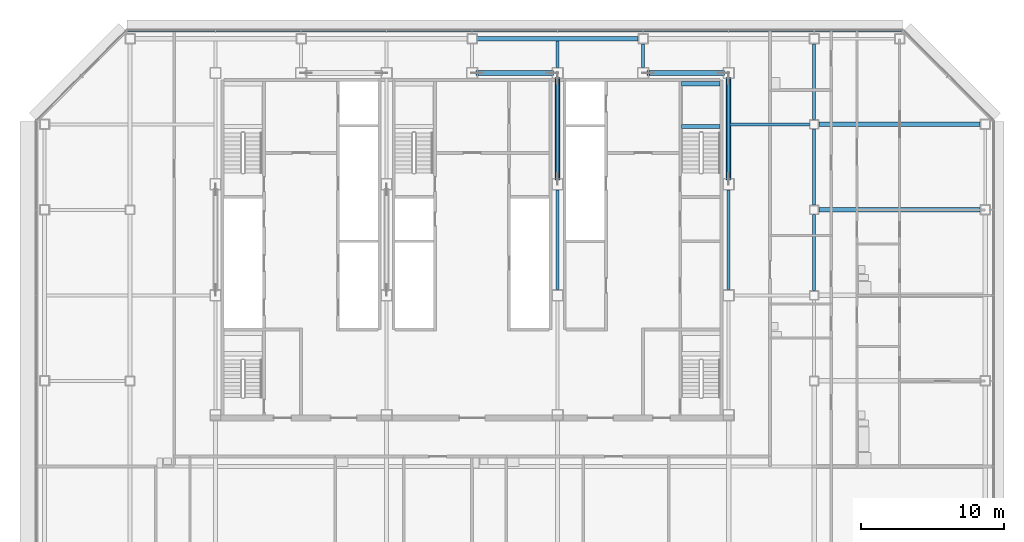
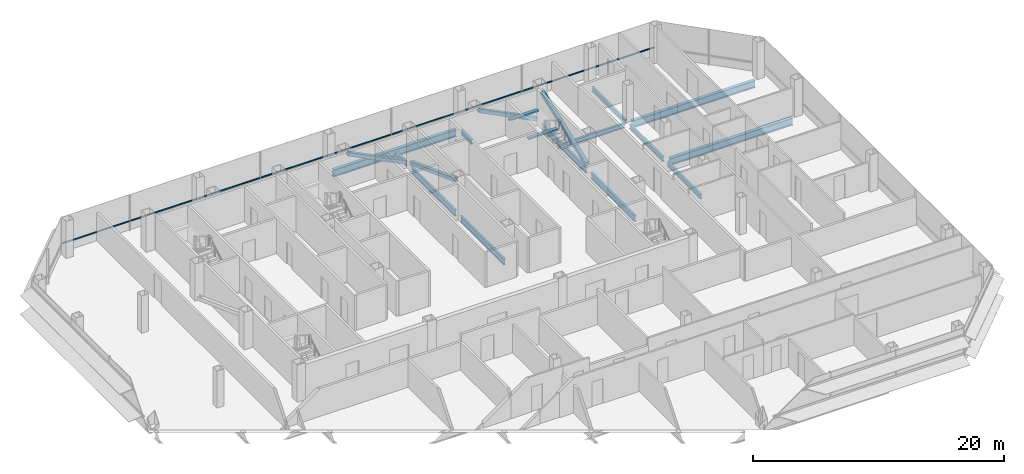
# One storey, part 13 of 26: 15 beams, 5 members, 1 element without a shape of its own.
"""IFC4 building model written with IfcOpenShell, lengths in metres."""

from ifc_helpers import new_model, si_unit, direction, frame, origin, origin_2d, place, context, subcontext, project, spatial, rectangle, hollow_rectangle, i_section, extrude, material, material_profile, profile_set, type_object, element, aggregate, save


model = new_model("IFC4")

# Units and contexts
model_context = context("Model", 3, precision=1e-05, world=origin(), true_north=direction((0.0, 1.0)))
body_context = subcontext(model_context, "Body", "Model", "MODEL_VIEW")
ifc_project = project(units=[si_unit("LENGTHUNIT", "METRE"), si_unit("AREAUNIT", "SQUARE_METRE"), si_unit("VOLUMEUNIT", "CUBIC_METRE"), si_unit("PLANEANGLEUNIT", "RADIAN"), si_unit("MASSUNIT", "GRAM", prefix="KILO")], contexts=[model_context])

# Site, building, storey
site_placement = place(None, origin())
site = spatial("IfcSite", under=ifc_project, at=site_placement, CompositionType="ELEMENT")
building_placement = place(site_placement, origin())
building = spatial("IfcBuilding", under=site, at=building_placement, Name="Sorahane Residences", CompositionType="ELEMENT")
storey_placement = place(building_placement, frame((0.0, 0.0, 154.60009765625)))
storey = spatial("IfcBuildingStorey", under=building, at=storey_placement, Name="L35", CompositionType="ELEMENT", Elevation=154.60009765625)

# Members
ifc_material_1 = material(Name="Steel Q355B", Category="steel")
ifc_material_profile_1 = material_profile(ifc_material_1, hollow_rectangle(XDim=0.35009765625, YDim=0.35009765625, WallThickness=0.01806640625, InnerFilletRadius=0.009033203125, OuterFilletRadius=0.027099609375, at=origin_2d()), Name="RHS 350x350x18")
ifc_profile_set_1 = profile_set([ifc_material_profile_1], Name="Steel Q355B")
member_type_1 = type_object("IfcMemberType", Name="Core brace RHS 350x350x18 Q355B", PredefinedType="BRACE", material=ifc_profile_set_1)
for number, where, z_axis, x_axis, name in (
    (1, (29.647216796875, 45.60009765625, 0.151123046875), (-0.893055794866, 0.0, 0.449945938149), (0.0, -1.0, 0.0), "Core brace L35 y45.6-4"),
    (2, (41.647216796875, 45.60009765625, 0.151123046875), (-0.893055794866, 0.0, 0.449945938149), (0.0, -1.0, 0.0), "Core brace L35 y45.6-6"),
):
    element("IfcMember", number, at=place(storey_placement, frame(where, z_axis=z_axis, x_axis=x_axis)), inside=storey, type_object=member_type_1, Name=name, PredefinedType="BRACE", context=body_context, shape_type="SweptSolid", body=[
        extrude(hollow_rectangle(XDim=0.35009765625, YDim=0.35009765625, WallThickness=0.01806640625, InnerFilletRadius=0.009033203125, OuterFilletRadius=0.027099609375, at=origin_2d()), origin(), (0.0, 0.0, 1.0), 5.928466796875),
    ])
for number, where, z_axis, x_axis, name in (
    (3, (42.0, 38.1630859375, 0.1611328125), (0.0, 0.936554808937, 0.350521168914), (-1.0, 0.0, 0.0), "Core brace L35 x42-3"),
    (4, (30.0, 45.23681640625, 0.1611328125), (0.0, -0.936554808937, 0.350521168914), (1.0, 0.0, 0.0), "Core brace L35 x30-2"),
):
    element("IfcMember", number, at=place(storey_placement, frame(where, z_axis=z_axis, x_axis=x_axis)), inside=storey, type_object=member_type_1, Name=name, PredefinedType="BRACE", context=body_context, shape_type="SweptSolid", body=[
        extrude(hollow_rectangle(XDim=0.35009765625, YDim=0.35009765625, WallThickness=0.01806640625, InnerFilletRadius=0.009033203125, OuterFilletRadius=0.027099609375, at=origin_2d()), origin(), (0.0, 0.0, 1.0), 7.552978515625),
    ])

# Curtain wall, member
ifc_material_2 = material(Name="Dark low-e glass and black anodised aluminium", Category="aluminium")
curtain_wall_type = type_object("IfcCurtainWallType", Name="Curtain wall CW-1 Typical unitised wall", PredefinedType="NOTDEFINED", material=ifc_material_2)
curtain_wall_placement = place(storey_placement, origin())
curtain_wall = element("IfcCurtainWall", 5, at=curtain_wall_placement, inside=storey, type_object=curtain_wall_type, Name="CW-1 curtain wall L35 N1", PredefinedType="NOTDEFINED")
ifc_material_3 = material(Name="Black anodised aluminium", Category="aluminium")
ifc_material_profile_2 = material_profile(ifc_material_3, rectangle(XDim=0.10009765625, YDim=0.06005859375, at=origin_2d()), Name="Curtain wall transom CW-1 black anodised aluminium 60x100")
ifc_profile_set_2 = profile_set([ifc_material_profile_2], Name="Black anodised aluminium")
member_type_2 = type_object("IfcMemberType", Name="Curtain wall transom CW-1 black anodised aluminium 60x100", PredefinedType="USERDEFINED", material=ifc_profile_set_2)
member_placement = place(storey_placement, frame((54.198486328125, 48.530029296875, 0.89990234375), z_axis=(-1.0, 0.0, 0.0), x_axis=(0.0, -1.0, 0.0)))
member = element("IfcMember", 6, at=member_placement, type_object=member_type_2, Name="CW-1 transom L35 N1", ObjectType="TRANSOM", PredefinedType="USERDEFINED", context=body_context, shape_type="SweptSolid", body=[
    extrude(rectangle(XDim=0.10009765625, YDim=0.06005859375, at=origin_2d()), origin(), (0.0, 0.0, 1.0), 54.39697265625),
])
aggregate(curtain_wall, [member])

# Beams
ifc_material_4 = material(Name="Concrete C40", Category="concrete")
ifc_material_profile_3 = material_profile(ifc_material_4, rectangle(XDim=0.300048828125, YDim=0.139892578125, at=origin_2d()), Name="300x140")
ifc_profile_set_3 = profile_set([ifc_material_profile_3], Name="Concrete C40")
beam_type_1 = type_object("IfcBeamType", Name="RC landing beam 300 x 140 Concrete C40", PredefinedType="BEAM", material=ifc_profile_set_3)
for number, where, z_axis, x_axis, name in (
    (7, (38.699951171875, 41.85009765625, 1.52978515625), (1.0, 0.0, 0.0), (0.0, 1.0, 0.0), "Landing beam"),
    (8, (38.699951171875, 44.85009765625, 1.52978515625), (1.0, 0.0, 0.0), (0.0, 1.0, 0.0), "Landing beam"),
):
    element("IfcBeam", number, at=place(storey_placement, frame(where, z_axis=z_axis, x_axis=x_axis)), inside=storey, type_object=beam_type_1, Name=name, PredefinedType="BEAM", context=body_context, shape_type="SweptSolid", body=[
        extrude(rectangle(XDim=0.300048828125, YDim=0.139892578125, at=origin_2d()), origin(), (0.0, 0.0, 1.0), 2.699951171875),
    ])
ifc_material_5 = material(Name="Steel Q355B", Category="steel")
ifc_material_profile_4 = material_profile(ifc_material_5, i_section(OverallWidth=0.199951171875, OverallDepth=0.449951171875, WebThickness=0.009033203125, FlangeThickness=0.013916015625, FilletRadius=0.02001953125, at=origin_2d()), Name="HN 450x200x9x14")
ifc_profile_set_4 = profile_set([ifc_material_profile_4], Name="Steel Q355B")
beam_type_2 = type_object("IfcBeamType", Name="Steel floor beam HN 450x200x9x14 Q355B", PredefinedType="BEAM", material=ifc_profile_set_4)
beam_1_placement = place(storey_placement, frame((30.0, 46.0, -0.405029296875), z_axis=(0.0, 1.0, 0.0), x_axis=(-1.0, 0.0, 0.0)))
element("IfcBeam", 9, at=beam_1_placement, inside=storey, type_object=beam_type_2, Name="Beam L35 049", PredefinedType="BEAM", context=body_context, shape_type="SweptSolid", body=[
    extrude(i_section(OverallWidth=0.199951171875, OverallDepth=0.449951171875, WebThickness=0.009033203125, FlangeThickness=0.013916015625, FilletRadius=0.02001953125, at=origin_2d()), origin(), (0.0, 0.0, 1.0), 1.85009765625),
])
beam_2_placement = place(storey_placement, frame((36.0, 46.0, -0.405029296875), z_axis=(0.0, 1.0, 0.0), x_axis=(-1.0, 0.0, 0.0)))
element("IfcBeam", 10, at=beam_2_placement, inside=storey, type_object=beam_type_2, Name="Beam L35 051", PredefinedType="BEAM", context=body_context, shape_type="SweptSolid", body=[
    extrude(i_section(OverallWidth=0.199951171875, OverallDepth=0.449951171875, WebThickness=0.009033203125, FlangeThickness=0.013916015625, FilletRadius=0.02001953125, at=origin_2d()), origin(), (0.0, 0.0, 1.0), 1.64990234375),
])
for number, where, z_axis, x_axis, name in (
    (11, (48.0, 30.324951171875, -0.405029296875), (0.0, 1.0, 0.0), (-1.0, 0.0, 0.0), "Beam L35 061"),
    (12, (48.0, 36.324951171875, -0.405029296875), (0.0, 1.0, 0.0), (-1.0, 0.0, 0.0), "Beam L35 062"),
):
    element("IfcBeam", number, at=place(storey_placement, frame(where, z_axis=z_axis, x_axis=x_axis)), inside=storey, type_object=beam_type_2, Name=name, PredefinedType="BEAM", context=body_context, shape_type="SweptSolid", body=[
        extrude(i_section(OverallWidth=0.199951171875, OverallDepth=0.449951171875, WebThickness=0.009033203125, FlangeThickness=0.013916015625, FilletRadius=0.02001953125, at=origin_2d()), origin(), (0.0, 0.0, 1.0), 5.35009765625),
    ])
beam_3_placement = place(storey_placement, frame((48.0, 42.324951171875, -0.405029296875), z_axis=(0.0, 1.0, 0.0), x_axis=(-1.0, 0.0, 0.0)))
element("IfcBeam", 13, at=beam_3_placement, inside=storey, type_object=beam_type_2, Name="Beam L35 063", PredefinedType="BEAM", context=body_context, shape_type="SweptSolid", body=[
    extrude(i_section(OverallWidth=0.199951171875, OverallDepth=0.449951171875, WebThickness=0.009033203125, FlangeThickness=0.013916015625, FilletRadius=0.02001953125, at=origin_2d()), origin(), (0.0, 0.0, 1.0), 5.324951171875),
])
beam_4_placement = place(storey_placement, frame((42.10009765625, 42.0, -0.405029296875), z_axis=(1.0, 0.0, 0.0), x_axis=(0.0, 1.0, 0.0)))
element("IfcBeam", 14, at=beam_4_placement, inside=storey, type_object=beam_type_2, Name="Beam L35 091", PredefinedType="BEAM", context=body_context, shape_type="SweptSolid", body=[
    extrude(i_section(OverallWidth=0.199951171875, OverallDepth=0.449951171875, WebThickness=0.009033203125, FlangeThickness=0.013916015625, FilletRadius=0.02001953125, at=origin_2d()), origin(), (0.0, 0.0, 1.0), 5.574951171875),
])
ifc_material_6 = material(Name="Steel Q355B", Category="steel")
ifc_material_profile_5 = material_profile(ifc_material_6, i_section(OverallWidth=0.199951171875, OverallDepth=0.60009765625, WebThickness=0.010986328125, FlangeThickness=0.01708984375, FilletRadius=0.02392578125, at=origin_2d()), Name="HN 600x200x11x17")
ifc_profile_set_5 = profile_set([ifc_material_profile_5], Name="Steel Q355B")
beam_type_3 = type_object("IfcBeamType", Name="Steel floor beam HN 600x200x11x17 Q355B", PredefinedType="BEAM", material=ifc_profile_set_5)
for number, where, z_axis, x_axis, name in (
    (15, (30.0, 30.39990234375, -0.47998046875), (0.0, 1.0, 0.0), (-1.0, 0.0, 0.0), "Beam L35 047"),
    (16, (30.0, 38.199951171875, -0.47998046875), (0.0, 1.0, 0.0), (-1.0, 0.0, 0.0), "Beam L35 048"),
    (17, (42.0, 30.39990234375, -0.47998046875), (0.0, 1.0, 0.0), (-1.0, 0.0, 0.0), "Beam L35 055"),
    (18, (42.0, 38.199951171875, -0.47998046875), (0.0, 1.0, 0.0), (-1.0, 0.0, 0.0), "Beam L35 056"),
):
    element("IfcBeam", number, at=place(storey_placement, frame(where, z_axis=z_axis, x_axis=x_axis)), inside=storey, type_object=beam_type_3, Name=name, PredefinedType="BEAM", context=body_context, shape_type="SweptSolid", body=[
        extrude(i_section(OverallWidth=0.199951171875, OverallDepth=0.60009765625, WebThickness=0.010986328125, FlangeThickness=0.01708984375, FilletRadius=0.02392578125, at=origin_2d()), origin(), (0.0, 0.0, 1.0), 7.0),
    ])
ifc_material_7 = material(Name="Steel Q355B", Category="steel")
ifc_material_profile_6 = material_profile(ifc_material_7, i_section(OverallWidth=0.300048828125, OverallDepth=0.699951171875, WebThickness=0.012939453125, FlangeThickness=0.02392578125, FilletRadius=0.028076171875, at=origin_2d()), Name="HN 700x300x13x24")
ifc_profile_set_6 = profile_set([ifc_material_profile_6], Name="Steel Q355B")
beam_type_4 = type_object("IfcBeamType", Name="Steel floor beam HN 700x300x13x24 Q355B", PredefinedType="BEAM", material=ifc_profile_set_6)
beam_5_placement = place(storey_placement, frame((48.324951171875, 36.0, -0.530029296875), z_axis=(1.0, 0.0, 0.0), x_axis=(0.0, 1.0, 0.0)))
element("IfcBeam", 19, at=beam_5_placement, inside=storey, type_object=beam_type_4, Name="Beam L35 014", PredefinedType="BEAM", context=body_context, shape_type="SweptSolid", body=[
    extrude(i_section(OverallWidth=0.300048828125, OverallDepth=0.699951171875, WebThickness=0.012939453125, FlangeThickness=0.02392578125, FilletRadius=0.028076171875, at=origin_2d()), origin(), (0.0, 0.0, 1.0), 11.324951171875),
])
beam_6_placement = place(storey_placement, frame((24.35009765625, 48.0, -0.530029296875), z_axis=(1.0, 0.0, 0.0), x_axis=(0.0, 1.0, 0.0)))
element("IfcBeam", 20, at=beam_6_placement, inside=storey, type_object=beam_type_4, Name="Beam L35 017", PredefinedType="BEAM", context=body_context, shape_type="SweptSolid", body=[
    extrude(i_section(OverallWidth=0.300048828125, OverallDepth=0.699951171875, WebThickness=0.012939453125, FlangeThickness=0.02392578125, FilletRadius=0.028076171875, at=origin_2d()), origin(), (0.0, 0.0, 1.0), 11.2998046875),
])
beam_7_placement = place(storey_placement, frame((48.324951171875, 42.0, -0.530029296875), z_axis=(1.0, 0.0, 0.0), x_axis=(0.0, 1.0, 0.0)))
element("IfcBeam", 21, at=beam_7_placement, inside=storey, type_object=beam_type_4, Name="Beam L35 092", PredefinedType="BEAM", context=body_context, shape_type="SweptSolid", body=[
    extrude(i_section(OverallWidth=0.300048828125, OverallDepth=0.699951171875, WebThickness=0.012939453125, FlangeThickness=0.02392578125, FilletRadius=0.028076171875, at=origin_2d()), origin(), (0.0, 0.0, 1.0), 11.324951171875),
])

save(model, "model.ifc")
